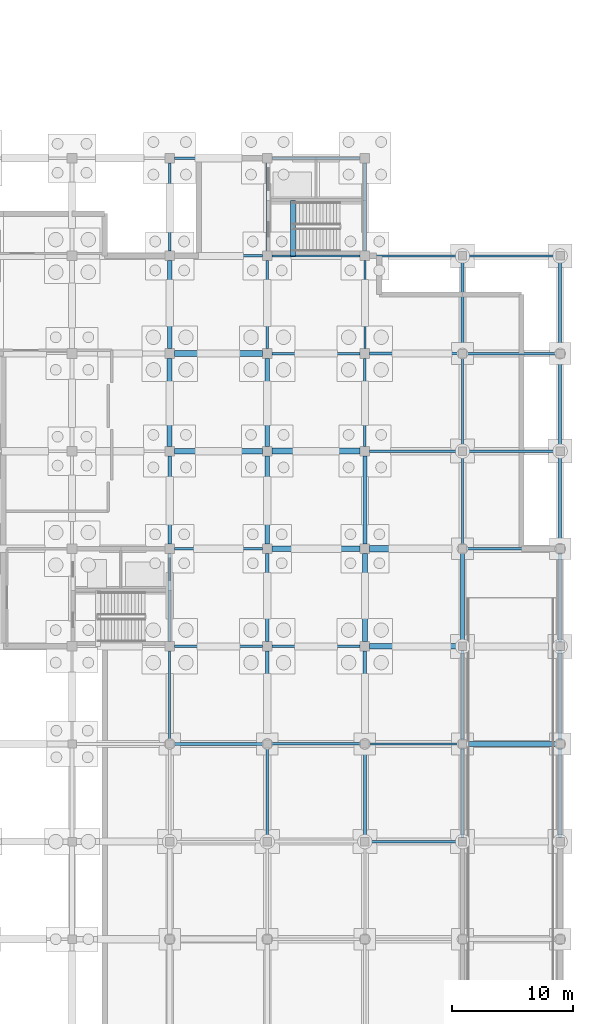
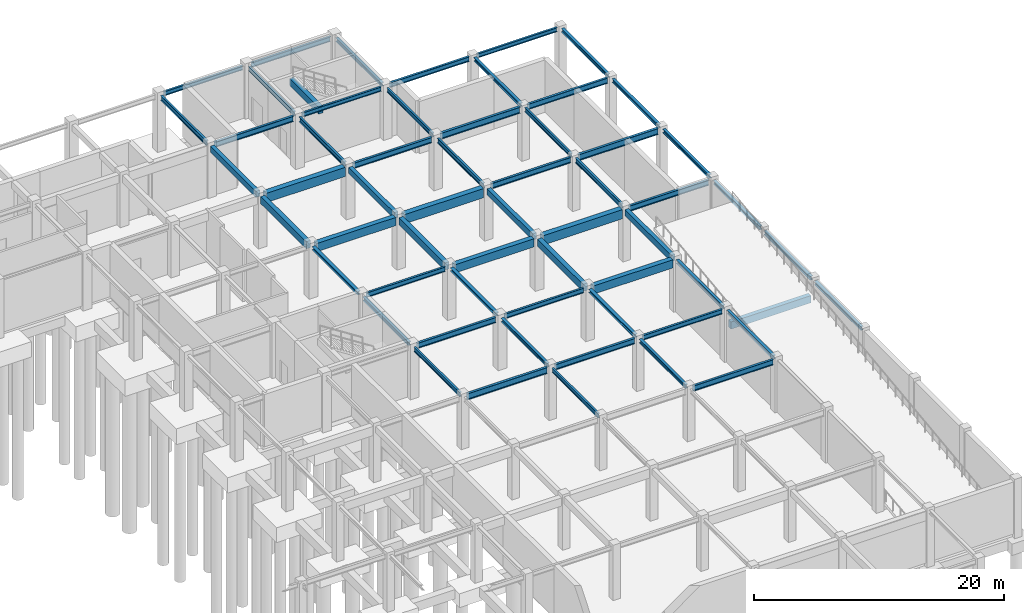
# One storey, part 15 of 26: 59 beams.
"""IFC4 building model written with IfcOpenShell, lengths in metres."""

from ifc_helpers import new_model, si_unit, direction, frame, origin, origin_2d, place, context, subcontext, project, spatial, rectangle, i_section, extrude, material, material_profile, profile_set, type_object, element, save


model = new_model("IFC4")

# Units and contexts
model_context = context("Model", 3, precision=1e-05, world=origin(), true_north=direction((0.0, 1.0)))
body_context = subcontext(model_context, "Body", "Model", "MODEL_VIEW")
ifc_project = project(units=[si_unit("LENGTHUNIT", "METRE"), si_unit("AREAUNIT", "SQUARE_METRE"), si_unit("VOLUMEUNIT", "CUBIC_METRE"), si_unit("PLANEANGLEUNIT", "RADIAN"), si_unit("MASSUNIT", "GRAM", prefix="KILO")], contexts=[model_context])

# Site, building, storey
site_placement = place(None, origin())
site = spatial("IfcSite", under=ifc_project, at=site_placement, CompositionType="ELEMENT")
building_placement = place(site_placement, origin())
building = spatial("IfcBuilding", under=site, at=building_placement, Name="Parian Resonance Hall", CompositionType="ELEMENT")
storey_placement = place(building_placement, frame((0.0, 0.0, -5.39990234375)))
storey = spatial("IfcBuildingStorey", under=building, at=storey_placement, Name="B1", CompositionType="ELEMENT", Elevation=-5.39990234375)

# Beams
ifc_material_1 = material(Name="Concrete C40/50", Category="concrete")
ifc_material_profile_1 = material_profile(ifc_material_1, rectangle(XDim=0.35009765625, YDim=0.60009765625, at=origin_2d()), Name="RC-BM-350x600")
ifc_profile_set_1 = profile_set([ifc_material_profile_1], Name="Concrete C40/50")
beam_type_1 = type_object("IfcBeamType", Name="BM-RC350x600", PredefinedType="BEAM", material=ifc_profile_set_1)
for number, where, z_axis, x_axis, name in (
    (1, (129.60009765625, 73.300048828125, 4.760009765625), (0.0, 1.0, 0.0), (-1.0, 0.0, 0.0), "GY-B1-0223"),
    (2, (137.699951171875, 65.199951171875, 4.760009765625), (0.0, 1.0, 0.0), (-1.0, 0.0, 0.0), "GY-B1-0233"),
):
    element("IfcBeam", number, at=place(storey_placement, frame(where, z_axis=z_axis, x_axis=x_axis)), inside=storey, type_object=beam_type_1, Name=name, PredefinedType="BEAM", context=body_context, shape_type="SweptSolid", body=[
        extrude(rectangle(XDim=0.35009765625, YDim=0.60009765625, at=origin_2d()), origin(), (0.0, 0.0, 1.0), 7.300048828125),
    ])
beam_1_placement = place(storey_placement, frame((145.800048828125, 57.10009765625, 4.760009765625), z_axis=(0.0, 1.0, 0.0), x_axis=(-1.0, 0.0, 0.0)))
element("IfcBeam", 3, at=beam_1_placement, inside=storey, type_object=beam_type_1, Name="GY-B1-0243", PredefinedType="BEAM", context=body_context, shape_type="SweptSolid", body=[
    extrude(rectangle(XDim=0.35009765625, YDim=0.60009765625, at=origin_2d()), origin(), (0.0, 0.0, 1.0), 7.2998046875),
])
beam_2_placement = place(storey_placement, frame((153.89990234375, 48.949951171875, 4.760009765625), z_axis=(0.0, 1.0, 0.0), x_axis=(-1.0, 0.0, 0.0)))
element("IfcBeam", 4, at=beam_2_placement, inside=storey, type_object=beam_type_1, Name="GY-B1-0253", PredefinedType="BEAM", context=body_context, shape_type="SweptSolid", body=[
    extrude(rectangle(XDim=0.35009765625, YDim=0.60009765625, at=origin_2d()), origin(), (0.0, 0.0, 1.0), 7.400146484375),
])
ifc_material_2 = material(Name="Concrete C40/50", Category="concrete")
ifc_material_profile_2 = material_profile(ifc_material_2, rectangle(XDim=0.39990234375, YDim=0.699951171875, at=origin_2d()), Name="RC-BM-400x700")
ifc_profile_set_2 = profile_set([ifc_material_profile_2], Name="Concrete C40/50")
beam_type_2 = type_object("IfcBeamType", Name="BM-RC400x700", PredefinedType="BEAM", material=ifc_profile_set_2)
beam_3_placement = place(storey_placement, frame((129.60009765625, 65.199951171875, 4.7099609375), z_axis=(0.0, 1.0, 0.0), x_axis=(-1.0, 0.0, 0.0)))
element("IfcBeam", 5, at=beam_3_placement, inside=storey, type_object=beam_type_2, Name="GY-B1-0222", PredefinedType="BEAM", context=body_context, shape_type="SweptSolid", body=[
    extrude(rectangle(XDim=0.39990234375, YDim=0.699951171875, at=origin_2d()), origin(), (0.0, 0.0, 1.0), 7.300048828125),
])
beam_4_placement = place(storey_placement, frame((137.699951171875, 57.10009765625, 4.7099609375), z_axis=(0.0, 1.0, 0.0), x_axis=(-1.0, 0.0, 0.0)))
element("IfcBeam", 6, at=beam_4_placement, inside=storey, type_object=beam_type_2, Name="GY-B1-0232", PredefinedType="BEAM", context=body_context, shape_type="SweptSolid", body=[
    extrude(rectangle(XDim=0.39990234375, YDim=0.699951171875, at=origin_2d()), origin(), (0.0, 0.0, 1.0), 7.2998046875),
])
beam_5_placement = place(storey_placement, frame((145.800048828125, 49.0, 4.7099609375), z_axis=(0.0, 1.0, 0.0), x_axis=(-1.0, 0.0, 0.0)))
element("IfcBeam", 7, at=beam_5_placement, inside=storey, type_object=beam_type_2, Name="GY-B1-0242", PredefinedType="BEAM", context=body_context, shape_type="SweptSolid", body=[
    extrude(rectangle(XDim=0.39990234375, YDim=0.699951171875, at=origin_2d()), origin(), (0.0, 0.0, 1.0), 7.300048828125),
])
beam_6_placement = place(storey_placement, frame((139.840087890625, 81.0, 4.7099609375), z_axis=(0.0, 1.0, 0.0), x_axis=(-1.0, 0.0, 0.0)))
element("IfcBeam", 8, at=beam_6_placement, inside=storey, type_object=beam_type_2, Name="Core K6 stair arrival trimmer beam B1", PredefinedType="BEAM", context=body_context, shape_type="SweptSolid", body=[
    extrude(rectangle(XDim=0.39990234375, YDim=0.699951171875, at=origin_2d()), origin(), (0.0, 0.0, 1.0), 4.610107421875),
])
beam_7_placement = place(storey_placement, frame((154.260009765625, 40.5, 3.27001953125), z_axis=(1.0, 0.0, 0.0), x_axis=(0.0, 1.0, 0.0)))
element("IfcBeam", 9, at=beam_7_placement, inside=storey, type_object=beam_type_2, Name="Car park vehicle ramp support beam 3", PredefinedType="BEAM", context=body_context, shape_type="SweptSolid", body=[
    extrude(rectangle(XDim=0.39990234375, YDim=0.699951171875, at=origin_2d()), origin(), (0.0, 0.0, 1.0), 7.3798828125),
])
ifc_material_3 = material(Name="Concrete C40/50", Category="concrete")
ifc_material_profile_3 = material_profile(ifc_material_3, rectangle(XDim=0.449951171875, YDim=0.800048828125, at=origin_2d()), Name="RC-BM-450x800")
ifc_profile_set_3 = profile_set([ifc_material_profile_3], Name="Concrete C40/50")
beam_type_3 = type_object("IfcBeamType", Name="BM-RC450x800", PredefinedType="USERDEFINED", material=ifc_profile_set_3)
beam_8_placement = place(storey_placement, frame((130.0, 64.800048828125, 4.659912109375), z_axis=(1.0, 0.0, 0.0), x_axis=(0.0, 1.0, 0.0)))
element("IfcBeam", 10, at=beam_8_placement, inside=storey, type_object=beam_type_3, Name="GX-B1-0101", ObjectType="GIRDER", PredefinedType="USERDEFINED", context=body_context, shape_type="SweptSolid", body=[
    extrude(rectangle(XDim=0.449951171875, YDim=0.800048828125, at=origin_2d()), origin(), (0.0, 0.0, 1.0), 7.300048828125),
])
beam_9_placement = place(storey_placement, frame((138.10009765625, 56.699951171875, 4.659912109375), z_axis=(1.0, 0.0, 0.0), x_axis=(0.0, 1.0, 0.0)))
element("IfcBeam", 11, at=beam_9_placement, inside=storey, type_object=beam_type_3, Name="GX-B1-0112", ObjectType="GIRDER", PredefinedType="USERDEFINED", context=body_context, shape_type="SweptSolid", body=[
    extrude(rectangle(XDim=0.449951171875, YDim=0.800048828125, at=origin_2d()), origin(), (0.0, 0.0, 1.0), 7.2998046875),
])
beam_10_placement = place(storey_placement, frame((146.199951171875, 48.60009765625, 4.659912109375), z_axis=(1.0, 0.0, 0.0), x_axis=(0.0, 1.0, 0.0)))
element("IfcBeam", 12, at=beam_10_placement, inside=storey, type_object=beam_type_3, Name="GX-B1-0123", ObjectType="GIRDER", PredefinedType="USERDEFINED", context=body_context, shape_type="SweptSolid", body=[
    extrude(rectangle(XDim=0.449951171875, YDim=0.800048828125, at=origin_2d()), origin(), (0.0, 0.0, 1.0), 7.35009765625),
])
ifc_material_4 = material(Name="Concrete C40/50", Category="concrete")
ifc_material_profile_4 = material_profile(ifc_material_4, rectangle(XDim=0.5, YDim=0.89990234375, at=origin_2d()), Name="RC-BM-500x900")
ifc_profile_set_4 = profile_set([ifc_material_profile_4], Name="Concrete C40/50")
beam_type_4 = type_object("IfcBeamType", Name="BM-RC500x900", PredefinedType="USERDEFINED", material=ifc_profile_set_4)
beam_11_placement = place(storey_placement, frame((130.0, 72.89990234375, 4.60986328125), z_axis=(1.0, 0.0, 0.0), x_axis=(0.0, 1.0, 0.0)))
element("IfcBeam", 13, at=beam_11_placement, inside=storey, type_object=beam_type_4, Name="GX-B1-0102", ObjectType="GIRDER", PredefinedType="USERDEFINED", context=body_context, shape_type="SweptSolid", body=[
    extrude(rectangle(XDim=0.5, YDim=0.89990234375, at=origin_2d()), origin(), (0.0, 0.0, 1.0), 7.300048828125),
])
beam_12_placement = place(storey_placement, frame((138.10009765625, 64.800048828125, 4.60986328125), z_axis=(1.0, 0.0, 0.0), x_axis=(0.0, 1.0, 0.0)))
element("IfcBeam", 14, at=beam_12_placement, inside=storey, type_object=beam_type_4, Name="GX-B1-0113", ObjectType="GIRDER", PredefinedType="USERDEFINED", context=body_context, shape_type="SweptSolid", body=[
    extrude(rectangle(XDim=0.5, YDim=0.89990234375, at=origin_2d()), origin(), (0.0, 0.0, 1.0), 7.2998046875),
])
beam_13_placement = place(storey_placement, frame((146.199951171875, 56.699951171875, 4.60986328125), z_axis=(1.0, 0.0, 0.0), x_axis=(0.0, 1.0, 0.0)))
element("IfcBeam", 15, at=beam_13_placement, inside=storey, type_object=beam_type_4, Name="GX-B1-0124", ObjectType="GIRDER", PredefinedType="USERDEFINED", context=body_context, shape_type="SweptSolid", body=[
    extrude(rectangle(XDim=0.5, YDim=0.89990234375, at=origin_2d()), origin(), (0.0, 0.0, 1.0), 7.35009765625),
])
ifc_material_5 = material(Name="Steel S355", Category="steel")
ifc_material_profile_5 = material_profile(ifc_material_5, i_section(OverallWidth=0.304931640625, OverallDepth=0.30810546875, WebThickness=0.010009765625, FlangeThickness=0.015380859375, FilletRadius=0.01513671875, at=origin_2d()), Name="W310x97")
ifc_profile_set_5 = profile_set([ifc_material_profile_5], Name="Steel S355")
beam_type_5 = type_object("IfcBeamType", Name="BM-W310x97", PredefinedType="BEAM", material=ifc_profile_set_5)
beam_14_placement = place(storey_placement, frame((129.60009765625, 57.10009765625, 4.906005859375), z_axis=(0.0, 1.0, 0.0), x_axis=(-1.0, 0.0, 0.0)))
element("IfcBeam", 16, at=beam_14_placement, inside=storey, type_object=beam_type_5, Name="GY-B1-0221", PredefinedType="BEAM", context=body_context, shape_type="SweptSolid", body=[
    extrude(i_section(OverallWidth=0.304931640625, OverallDepth=0.30810546875, WebThickness=0.010009765625, FlangeThickness=0.015380859375, FilletRadius=0.01513671875, at=origin_2d()), origin(), (0.0, 0.0, 1.0), 7.2998046875),
])
beam_15_placement = place(storey_placement, frame((137.699951171875, 49.0, 4.906005859375), z_axis=(0.0, 1.0, 0.0), x_axis=(-1.0, 0.0, 0.0)))
element("IfcBeam", 17, at=beam_15_placement, inside=storey, type_object=beam_type_5, Name="GY-B1-0231", PredefinedType="BEAM", context=body_context, shape_type="SweptSolid", body=[
    extrude(i_section(OverallWidth=0.304931640625, OverallDepth=0.30810546875, WebThickness=0.010009765625, FlangeThickness=0.015380859375, FilletRadius=0.01513671875, at=origin_2d()), origin(), (0.0, 0.0, 1.0), 7.300048828125),
])
beam_16_placement = place(storey_placement, frame((145.800048828125, 40.85009765625, 4.906005859375), z_axis=(0.0, 1.0, 0.0), x_axis=(-1.0, 0.0, 0.0)))
element("IfcBeam", 18, at=beam_16_placement, inside=storey, type_object=beam_type_5, Name="GY-B1-0241", PredefinedType="BEAM", context=body_context, shape_type="SweptSolid", body=[
    extrude(i_section(OverallWidth=0.304931640625, OverallDepth=0.30810546875, WebThickness=0.010009765625, FlangeThickness=0.015380859375, FilletRadius=0.01513671875, at=origin_2d()), origin(), (0.0, 0.0, 1.0), 7.349853515625),
])
ifc_material_6 = material(Name="Steel S355", Category="steel")
ifc_material_profile_6 = material_profile(ifc_material_6, i_section(OverallWidth=0.2548828125, OverallDepth=0.35693359375, WebThickness=0.010498046875, FlangeThickness=0.018310546875, FilletRadius=0.01513671875, at=origin_2d()), Name="W360x101")
ifc_profile_set_6 = profile_set([ifc_material_profile_6], Name="Steel S355")
beam_type_6 = type_object("IfcBeamType", Name="BM-W360x101", PredefinedType="SPANDREL", material=ifc_profile_set_6)
beam_17_placement = place(storey_placement, frame((129.60009765625, 49.0, 4.88134765625), z_axis=(0.0, 1.0, 0.0), x_axis=(-1.0, 0.0, 0.0)))
element("IfcBeam", 19, at=beam_17_placement, inside=storey, type_object=beam_type_6, Name="GY-B1-0220", PredefinedType="SPANDREL", context=body_context, shape_type="SweptSolid", body=[
    extrude(i_section(OverallWidth=0.2548828125, OverallDepth=0.35693359375, WebThickness=0.010498046875, FlangeThickness=0.018310546875, FilletRadius=0.01513671875, at=origin_2d()), origin(), (0.0, 0.0, 1.0), 7.300048828125),
])
beam_18_placement = place(storey_placement, frame((137.699951171875, 40.85009765625, 4.88134765625), z_axis=(0.0, 1.0, 0.0), x_axis=(-1.0, 0.0, 0.0)))
element("IfcBeam", 20, at=beam_18_placement, inside=storey, type_object=beam_type_6, Name="GY-B1-0230", PredefinedType="SPANDREL", context=body_context, shape_type="SweptSolid", body=[
    extrude(i_section(OverallWidth=0.2548828125, OverallDepth=0.35693359375, WebThickness=0.010498046875, FlangeThickness=0.018310546875, FilletRadius=0.01513671875, at=origin_2d()), origin(), (0.0, 0.0, 1.0), 7.349853515625),
])
beam_19_placement = place(storey_placement, frame((145.800048828125, 32.75, 4.88134765625), z_axis=(0.0, 1.0, 0.0), x_axis=(-1.0, 0.0, 0.0)))
element("IfcBeam", 21, at=beam_19_placement, inside=storey, type_object=beam_type_6, Name="GY-B1-0240", PredefinedType="SPANDREL", context=body_context, shape_type="SweptSolid", body=[
    extrude(i_section(OverallWidth=0.2548828125, OverallDepth=0.35693359375, WebThickness=0.010498046875, FlangeThickness=0.018310546875, FilletRadius=0.01513671875, at=origin_2d()), origin(), (0.0, 0.0, 1.0), 7.39990234375),
])
beam_20_placement = place(storey_placement, frame((145.800048828125, 81.39990234375, 4.88134765625), z_axis=(0.0, 1.0, 0.0), x_axis=(-1.0, 0.0, 0.0)))
element("IfcBeam", 22, at=beam_20_placement, inside=storey, type_object=beam_type_6, Name="GY-B1-0246", PredefinedType="SPANDREL", context=body_context, shape_type="SweptSolid", body=[
    extrude(i_section(OverallWidth=0.2548828125, OverallDepth=0.35693359375, WebThickness=0.010498046875, FlangeThickness=0.018310546875, FilletRadius=0.01513671875, at=origin_2d()), origin(), (0.0, 0.0, 1.0), 7.300048828125),
])
for number, where, z_axis, x_axis, name in (
    (23, (153.89990234375, 32.75, 4.88134765625), (0.0, 1.0, 0.0), (-1.0, 0.0, 0.0), "GY-B1-0251"),
    (24, (153.89990234375, 40.85009765625, 4.88134765625), (0.0, 1.0, 0.0), (-1.0, 0.0, 0.0), "GY-B1-0252"),
    (25, (153.89990234375, 73.25, 4.991455078125), (0.0, 1.0, 0.0), (-1.0, 0.0, 0.0), "GY-B1-0256"),
    (26, (162.0, 32.75, 4.88134765625), (0.0, 1.0, 0.0), (-1.0, 0.0, 0.0), "GY-B1-0260"),
    (27, (162.0, 40.85009765625, 4.88134765625), (0.0, 1.0, 0.0), (-1.0, 0.0, 0.0), "GY-B1-0261"),
):
    element("IfcBeam", number, at=place(storey_placement, frame(where, z_axis=z_axis, x_axis=x_axis)), inside=storey, type_object=beam_type_6, Name=name, PredefinedType="SPANDREL", context=body_context, shape_type="SweptSolid", body=[
        extrude(i_section(OverallWidth=0.2548828125, OverallDepth=0.35693359375, WebThickness=0.010498046875, FlangeThickness=0.018310546875, FilletRadius=0.01513671875, at=origin_2d()), origin(), (0.0, 0.0, 1.0), 7.39990234375),
    ])
beam_21_placement = place(storey_placement, frame((162.0, 48.949951171875, 4.88134765625), z_axis=(0.0, 1.0, 0.0), x_axis=(-1.0, 0.0, 0.0)))
element("IfcBeam", 28, at=beam_21_placement, inside=storey, type_object=beam_type_6, Name="GY-B1-0262", PredefinedType="SPANDREL", context=body_context, shape_type="SweptSolid", body=[
    extrude(i_section(OverallWidth=0.2548828125, OverallDepth=0.35693359375, WebThickness=0.010498046875, FlangeThickness=0.018310546875, FilletRadius=0.01513671875, at=origin_2d()), origin(), (0.0, 0.0, 1.0), 7.400146484375),
])
beam_22_placement = place(storey_placement, frame((162.0, 57.050048828125, 4.991455078125), z_axis=(0.0, 1.0, 0.0), x_axis=(-1.0, 0.0, 0.0)))
element("IfcBeam", 29, at=beam_22_placement, inside=storey, type_object=beam_type_6, Name="GY-B1-0263", PredefinedType="SPANDREL", context=body_context, shape_type="SweptSolid", body=[
    extrude(i_section(OverallWidth=0.2548828125, OverallDepth=0.35693359375, WebThickness=0.010498046875, FlangeThickness=0.018310546875, FilletRadius=0.01513671875, at=origin_2d()), origin(), (0.0, 0.0, 1.0), 7.39990234375),
])
beam_23_placement = place(storey_placement, frame((162.0, 65.14990234375, 4.991455078125), z_axis=(0.0, 1.0, 0.0), x_axis=(-1.0, 0.0, 0.0)))
element("IfcBeam", 30, at=beam_23_placement, inside=storey, type_object=beam_type_6, Name="GY-B1-0264", PredefinedType="SPANDREL", context=body_context, shape_type="SweptSolid", body=[
    extrude(i_section(OverallWidth=0.2548828125, OverallDepth=0.35693359375, WebThickness=0.010498046875, FlangeThickness=0.018310546875, FilletRadius=0.01513671875, at=origin_2d()), origin(), (0.0, 0.0, 1.0), 7.400146484375),
])
beam_24_placement = place(storey_placement, frame((162.0, 73.25, 4.991455078125), z_axis=(0.0, 1.0, 0.0), x_axis=(-1.0, 0.0, 0.0)))
element("IfcBeam", 31, at=beam_24_placement, inside=storey, type_object=beam_type_6, Name="GY-B1-0265", PredefinedType="SPANDREL", context=body_context, shape_type="SweptSolid", body=[
    extrude(i_section(OverallWidth=0.2548828125, OverallDepth=0.35693359375, WebThickness=0.010498046875, FlangeThickness=0.018310546875, FilletRadius=0.01513671875, at=origin_2d()), origin(), (0.0, 0.0, 1.0), 7.39990234375),
])
ifc_material_7 = material(Name="Steel S355", Category="steel")
ifc_material_profile_7 = material_profile(ifc_material_7, i_section(OverallWidth=0.180908203125, OverallDepth=0.4169921875, WebThickness=0.010986328125, FlangeThickness=0.018310546875, FilletRadius=0.01513671875, at=origin_2d()), Name="W410x85")
ifc_profile_set_7 = profile_set([ifc_material_profile_7], Name="Steel S355")
beam_type_7 = type_object("IfcBeamType", Name="BM-W410x85", PredefinedType="SPANDREL", material=ifc_profile_set_7)
beam_25_placement = place(storey_placement, frame((130.0, 89.10009765625, 4.851318359375), z_axis=(1.0, 0.0, 0.0), x_axis=(0.0, 1.0, 0.0)))
element("IfcBeam", 32, at=beam_25_placement, inside=storey, type_object=beam_type_7, Name="GX-B1-0104", PredefinedType="SPANDREL", context=body_context, shape_type="SweptSolid", body=[
    extrude(i_section(OverallWidth=0.180908203125, OverallDepth=0.4169921875, WebThickness=0.010986328125, FlangeThickness=0.018310546875, FilletRadius=0.01513671875, at=origin_2d()), origin(), (0.0, 0.0, 1.0), 7.300048828125),
])
beam_26_placement = place(storey_placement, frame((138.10009765625, 81.0, 4.851318359375), z_axis=(1.0, 0.0, 0.0), x_axis=(0.0, 1.0, 0.0)))
element("IfcBeam", 33, at=beam_26_placement, inside=storey, type_object=beam_type_7, Name="GX-B1-0115", PredefinedType="SPANDREL", context=body_context, shape_type="SweptSolid", body=[
    extrude(i_section(OverallWidth=0.180908203125, OverallDepth=0.4169921875, WebThickness=0.010986328125, FlangeThickness=0.018310546875, FilletRadius=0.01513671875, at=origin_2d()), origin(), (0.0, 0.0, 1.0), 7.2998046875),
])
beam_27_placement = place(storey_placement, frame((154.25, 81.0, 4.96142578125), z_axis=(1.0, 0.0, 0.0), x_axis=(0.0, 1.0, 0.0)))
element("IfcBeam", 34, at=beam_27_placement, inside=storey, type_object=beam_type_7, Name="GX-B1-0132", PredefinedType="SPANDREL", context=body_context, shape_type="SweptSolid", body=[
    extrude(i_section(OverallWidth=0.180908203125, OverallDepth=0.4169921875, WebThickness=0.010986328125, FlangeThickness=0.018310546875, FilletRadius=0.01513671875, at=origin_2d()), origin(), (0.0, 0.0, 1.0), 7.39990234375),
])
beam_28_placement = place(storey_placement, frame((129.60009765625, 40.85009765625, 4.851318359375), z_axis=(0.0, 1.0, 0.0), x_axis=(-1.0, 0.0, 0.0)))
element("IfcBeam", 35, at=beam_28_placement, inside=storey, type_object=beam_type_7, Name="GY-B1-0219", PredefinedType="SPANDREL", context=body_context, shape_type="SweptSolid", body=[
    extrude(i_section(OverallWidth=0.180908203125, OverallDepth=0.4169921875, WebThickness=0.010986328125, FlangeThickness=0.018310546875, FilletRadius=0.01513671875, at=origin_2d()), origin(), (0.0, 0.0, 1.0), 7.349853515625),
])
beam_29_placement = place(storey_placement, frame((137.699951171875, 32.75, 4.851318359375), z_axis=(0.0, 1.0, 0.0), x_axis=(-1.0, 0.0, 0.0)))
element("IfcBeam", 36, at=beam_29_placement, inside=storey, type_object=beam_type_7, Name="GY-B1-0229", PredefinedType="SPANDREL", context=body_context, shape_type="SweptSolid", body=[
    extrude(i_section(OverallWidth=0.180908203125, OverallDepth=0.4169921875, WebThickness=0.010986328125, FlangeThickness=0.018310546875, FilletRadius=0.01513671875, at=origin_2d()), origin(), (0.0, 0.0, 1.0), 7.39990234375),
])
for number, where, z_axis, x_axis, name in (
    (37, (137.699951171875, 81.39990234375, 4.851318359375), (0.0, 1.0, 0.0), (-1.0, 0.0, 0.0), "GY-B1-0235"),
    (38, (145.800048828125, 73.300048828125, 4.851318359375), (0.0, 1.0, 0.0), (-1.0, 0.0, 0.0), "GY-B1-0245"),
):
    element("IfcBeam", number, at=place(storey_placement, frame(where, z_axis=z_axis, x_axis=x_axis)), inside=storey, type_object=beam_type_7, Name=name, PredefinedType="SPANDREL", context=body_context, shape_type="SweptSolid", body=[
        extrude(i_section(OverallWidth=0.180908203125, OverallDepth=0.4169921875, WebThickness=0.010986328125, FlangeThickness=0.018310546875, FilletRadius=0.01513671875, at=origin_2d()), origin(), (0.0, 0.0, 1.0), 7.300048828125),
    ])
beam_30_placement = place(storey_placement, frame((153.89990234375, 65.14990234375, 4.96142578125), z_axis=(0.0, 1.0, 0.0), x_axis=(-1.0, 0.0, 0.0)))
element("IfcBeam", 39, at=beam_30_placement, inside=storey, type_object=beam_type_7, Name="GY-B1-0255", PredefinedType="SPANDREL", context=body_context, shape_type="SweptSolid", body=[
    extrude(i_section(OverallWidth=0.180908203125, OverallDepth=0.4169921875, WebThickness=0.010986328125, FlangeThickness=0.018310546875, FilletRadius=0.01513671875, at=origin_2d()), origin(), (0.0, 0.0, 1.0), 7.400146484375),
])
ifc_material_8 = material(Name="Steel S355", Category="steel")
ifc_material_profile_8 = material_profile(ifc_material_8, i_section(OverallWidth=0.194091796875, OverallDepth=0.468994140625, WebThickness=0.0126953125, FlangeThickness=0.0205078125, FilletRadius=0.01513671875, at=origin_2d()), Name="W460x106")
ifc_profile_set_8 = profile_set([ifc_material_profile_8], Name="Steel S355")
beam_type_8 = type_object("IfcBeamType", Name="BM-W460x106", PredefinedType="SPANDREL", material=ifc_profile_set_8)
beam_31_placement = place(storey_placement, frame((138.10009765625, 89.10009765625, 4.825439453125), z_axis=(1.0, 0.0, 0.0), x_axis=(0.0, 1.0, 0.0)))
element("IfcBeam", 40, at=beam_31_placement, inside=storey, type_object=beam_type_8, Name="GX-B1-0116", PredefinedType="SPANDREL", context=body_context, shape_type="SweptSolid", body=[
    extrude(i_section(OverallWidth=0.194091796875, OverallDepth=0.468994140625, WebThickness=0.0126953125, FlangeThickness=0.0205078125, FilletRadius=0.01513671875, at=origin_2d()), origin(), (0.0, 0.0, 1.0), 7.2998046875),
])
beam_32_placement = place(storey_placement, frame((146.199951171875, 81.0, 4.935302734375), z_axis=(1.0, 0.0, 0.0), x_axis=(0.0, 1.0, 0.0)))
element("IfcBeam", 41, at=beam_32_placement, inside=storey, type_object=beam_type_8, Name="GX-B1-0127", PredefinedType="SPANDREL", context=body_context, shape_type="SweptSolid", body=[
    extrude(i_section(OverallWidth=0.194091796875, OverallDepth=0.468994140625, WebThickness=0.0126953125, FlangeThickness=0.0205078125, FilletRadius=0.01513671875, at=origin_2d()), origin(), (0.0, 0.0, 1.0), 7.35009765625),
])
for number, where, z_axis, x_axis, name in (
    (42, (129.60009765625, 81.39990234375, 4.825439453125), (0.0, 1.0, 0.0), (-1.0, 0.0, 0.0), "GY-B1-0224"),
    (43, (137.699951171875, 73.300048828125, 4.825439453125), (0.0, 1.0, 0.0), (-1.0, 0.0, 0.0), "GY-B1-0234"),
    (44, (145.800048828125, 65.199951171875, 4.825439453125), (0.0, 1.0, 0.0), (-1.0, 0.0, 0.0), "GY-B1-0244"),
):
    element("IfcBeam", number, at=place(storey_placement, frame(where, z_axis=z_axis, x_axis=x_axis)), inside=storey, type_object=beam_type_8, Name=name, PredefinedType="SPANDREL", context=body_context, shape_type="SweptSolid", body=[
        extrude(i_section(OverallWidth=0.194091796875, OverallDepth=0.468994140625, WebThickness=0.0126953125, FlangeThickness=0.0205078125, FilletRadius=0.01513671875, at=origin_2d()), origin(), (0.0, 0.0, 1.0), 7.300048828125),
    ])
beam_33_placement = place(storey_placement, frame((153.89990234375, 57.050048828125, 4.935302734375), z_axis=(0.0, 1.0, 0.0), x_axis=(-1.0, 0.0, 0.0)))
element("IfcBeam", 45, at=beam_33_placement, inside=storey, type_object=beam_type_8, Name="GY-B1-0254", PredefinedType="SPANDREL", context=body_context, shape_type="SweptSolid", body=[
    extrude(i_section(OverallWidth=0.194091796875, OverallDepth=0.468994140625, WebThickness=0.0126953125, FlangeThickness=0.0205078125, FilletRadius=0.01513671875, at=origin_2d()), origin(), (0.0, 0.0, 1.0), 7.39990234375),
])
ifc_material_9 = material(Name="Steel S355", Category="steel")
ifc_material_profile_9 = material_profile(ifc_material_9, i_section(OverallWidth=0.19091796875, OverallDepth=0.4599609375, WebThickness=0.010009765625, FlangeThickness=0.01611328125, FilletRadius=0.01513671875, at=origin_2d()), Name="W460x82")
ifc_profile_set_9 = profile_set([ifc_material_profile_9], Name="Steel S355")
beam_type_9 = type_object("IfcBeamType", Name="BM-W460x82", PredefinedType="BEAM", material=ifc_profile_set_9)
beam_34_placement = place(storey_placement, frame((130.0, 56.699951171875, 4.829833984375), z_axis=(1.0, 0.0, 0.0), x_axis=(0.0, 1.0, 0.0)))
element("IfcBeam", 46, at=beam_34_placement, inside=storey, type_object=beam_type_9, Name="GX-B1-0100", PredefinedType="BEAM", context=body_context, shape_type="SweptSolid", body=[
    extrude(i_section(OverallWidth=0.19091796875, OverallDepth=0.4599609375, WebThickness=0.010009765625, FlangeThickness=0.01611328125, FilletRadius=0.01513671875, at=origin_2d()), origin(), (0.0, 0.0, 1.0), 7.300048828125),
])
beam_35_placement = place(storey_placement, frame((138.10009765625, 48.60009765625, 4.829833984375), z_axis=(1.0, 0.0, 0.0), x_axis=(0.0, 1.0, 0.0)))
element("IfcBeam", 47, at=beam_35_placement, inside=storey, type_object=beam_type_9, Name="GX-B1-0111", PredefinedType="BEAM", context=body_context, shape_type="SweptSolid", body=[
    extrude(i_section(OverallWidth=0.19091796875, OverallDepth=0.4599609375, WebThickness=0.010009765625, FlangeThickness=0.01611328125, FilletRadius=0.01513671875, at=origin_2d()), origin(), (0.0, 0.0, 1.0), 7.2998046875),
])
beam_36_placement = place(storey_placement, frame((146.14990234375, 40.5, 4.829833984375), z_axis=(1.0, 0.0, 0.0), x_axis=(0.0, 1.0, 0.0)))
element("IfcBeam", 48, at=beam_36_placement, inside=storey, type_object=beam_type_9, Name="GX-B1-0122", PredefinedType="BEAM", context=body_context, shape_type="SweptSolid", body=[
    extrude(i_section(OverallWidth=0.19091796875, OverallDepth=0.4599609375, WebThickness=0.010009765625, FlangeThickness=0.01611328125, FilletRadius=0.01513671875, at=origin_2d()), origin(), (0.0, 0.0, 1.0), 7.400146484375),
])
ifc_material_10 = material(Name="Steel S355", Category="steel")
ifc_material_profile_10 = material_profile(ifc_material_10, i_section(OverallWidth=0.2119140625, OverallDepth=0.5439453125, WebThickness=0.01318359375, FlangeThickness=0.021240234375, FilletRadius=0.017822265625, at=origin_2d()), Name="W530x123")
ifc_profile_set_10 = profile_set([ifc_material_profile_10], Name="Steel S355")
beam_type_10 = type_object("IfcBeamType", Name="BM-W530x123", PredefinedType="USERDEFINED", material=ifc_profile_set_10)
beam_37_placement = place(storey_placement, frame((130.0, 81.0, 4.787841796875), z_axis=(1.0, 0.0, 0.0), x_axis=(0.0, 1.0, 0.0)))
element("IfcBeam", 49, at=beam_37_placement, inside=storey, type_object=beam_type_10, Name="GX-B1-0103", ObjectType="GIRDER", PredefinedType="USERDEFINED", context=body_context, shape_type="SweptSolid", body=[
    extrude(i_section(OverallWidth=0.2119140625, OverallDepth=0.5439453125, WebThickness=0.01318359375, FlangeThickness=0.021240234375, FilletRadius=0.017822265625, at=origin_2d()), origin(), (0.0, 0.0, 1.0), 7.300048828125),
])
beam_38_placement = place(storey_placement, frame((138.10009765625, 72.89990234375, 4.787841796875), z_axis=(1.0, 0.0, 0.0), x_axis=(0.0, 1.0, 0.0)))
element("IfcBeam", 50, at=beam_38_placement, inside=storey, type_object=beam_type_10, Name="GX-B1-0114", ObjectType="GIRDER", PredefinedType="USERDEFINED", context=body_context, shape_type="SweptSolid", body=[
    extrude(i_section(OverallWidth=0.2119140625, OverallDepth=0.5439453125, WebThickness=0.01318359375, FlangeThickness=0.021240234375, FilletRadius=0.017822265625, at=origin_2d()), origin(), (0.0, 0.0, 1.0), 7.2998046875),
])
beam_39_placement = place(storey_placement, frame((146.199951171875, 64.800048828125, 4.89794921875), z_axis=(1.0, 0.0, 0.0), x_axis=(0.0, 1.0, 0.0)))
element("IfcBeam", 51, at=beam_39_placement, inside=storey, type_object=beam_type_10, Name="GX-B1-0125", ObjectType="GIRDER", PredefinedType="USERDEFINED", context=body_context, shape_type="SweptSolid", body=[
    extrude(i_section(OverallWidth=0.2119140625, OverallDepth=0.5439453125, WebThickness=0.01318359375, FlangeThickness=0.021240234375, FilletRadius=0.017822265625, at=origin_2d()), origin(), (0.0, 0.0, 1.0), 7.35009765625),
])
beam_40_placement = place(storey_placement, frame((154.25, 56.699951171875, 4.787841796875), z_axis=(1.0, 0.0, 0.0), x_axis=(0.0, 1.0, 0.0)))
element("IfcBeam", 52, at=beam_40_placement, inside=storey, type_object=beam_type_10, Name="GX-B1-0129", ObjectType="GIRDER", PredefinedType="USERDEFINED", context=body_context, shape_type="SweptSolid", body=[
    extrude(i_section(OverallWidth=0.2119140625, OverallDepth=0.5439453125, WebThickness=0.01318359375, FlangeThickness=0.021240234375, FilletRadius=0.017822265625, at=origin_2d()), origin(), (0.0, 0.0, 1.0), 7.39990234375),
])
ifc_material_11 = material(Name="Steel S355", Category="steel")
ifc_material_profile_11 = material_profile(ifc_material_11, i_section(OverallWidth=0.208984375, OverallDepth=0.532958984375, WebThickness=0.01025390625, FlangeThickness=0.015625, FilletRadius=0.017822265625, at=origin_2d()), Name="W530x92")
ifc_profile_set_11 = profile_set([ifc_material_profile_11], Name="Steel S355")
beam_type_11 = type_object("IfcBeamType", Name="BM-W530x92", PredefinedType="BEAM", material=ifc_profile_set_11)
beam_41_placement = place(storey_placement, frame((130.0, 48.60009765625, 4.79345703125), z_axis=(1.0, 0.0, 0.0), x_axis=(0.0, 1.0, 0.0)))
element("IfcBeam", 53, at=beam_41_placement, inside=storey, type_object=beam_type_11, Name="GX-B1-0099", PredefinedType="BEAM", context=body_context, shape_type="SweptSolid", body=[
    extrude(i_section(OverallWidth=0.208984375, OverallDepth=0.532958984375, WebThickness=0.01025390625, FlangeThickness=0.015625, FilletRadius=0.017822265625, at=origin_2d()), origin(), (0.0, 0.0, 1.0), 7.300048828125),
])
beam_42_placement = place(storey_placement, frame((138.050048828125, 40.5, 4.79345703125), z_axis=(1.0, 0.0, 0.0), x_axis=(0.0, 1.0, 0.0)))
element("IfcBeam", 54, at=beam_42_placement, inside=storey, type_object=beam_type_11, Name="GX-B1-0110", PredefinedType="BEAM", context=body_context, shape_type="SweptSolid", body=[
    extrude(i_section(OverallWidth=0.208984375, OverallDepth=0.532958984375, WebThickness=0.01025390625, FlangeThickness=0.015625, FilletRadius=0.017822265625, at=origin_2d()), origin(), (0.0, 0.0, 1.0), 7.39990234375),
])
beam_43_placement = place(storey_placement, frame((146.14990234375, 32.39990234375, 4.79345703125), z_axis=(1.0, 0.0, 0.0), x_axis=(0.0, 1.0, 0.0)))
element("IfcBeam", 55, at=beam_43_placement, inside=storey, type_object=beam_type_11, Name="GX-B1-0121", PredefinedType="BEAM", context=body_context, shape_type="SweptSolid", body=[
    extrude(i_section(OverallWidth=0.208984375, OverallDepth=0.532958984375, WebThickness=0.01025390625, FlangeThickness=0.015625, FilletRadius=0.017822265625, at=origin_2d()), origin(), (0.0, 0.0, 1.0), 7.400146484375),
])
beam_44_placement = place(storey_placement, frame((154.25, 72.89990234375, 4.9033203125), z_axis=(1.0, 0.0, 0.0), x_axis=(0.0, 1.0, 0.0)))
element("IfcBeam", 56, at=beam_44_placement, inside=storey, type_object=beam_type_11, Name="GX-B1-0131", PredefinedType="BEAM", context=body_context, shape_type="SweptSolid", body=[
    extrude(i_section(OverallWidth=0.208984375, OverallDepth=0.532958984375, WebThickness=0.01025390625, FlangeThickness=0.015625, FilletRadius=0.017822265625, at=origin_2d()), origin(), (0.0, 0.0, 1.0), 7.39990234375),
])
ifc_material_12 = material(Name="Steel S355", Category="steel")
ifc_material_profile_12 = material_profile(ifc_material_12, i_section(OverallWidth=0.22802734375, OverallDepth=0.60791015625, WebThickness=0.01123046875, FlangeThickness=0.017333984375, FilletRadius=0.017822265625, at=origin_2d()), Name="W610x113")
ifc_profile_set_12 = profile_set([ifc_material_profile_12], Name="Steel S355")
beam_type_12 = type_object("IfcBeamType", Name="BM-W610x113", PredefinedType="USERDEFINED", material=ifc_profile_set_12)
beam_45_placement = place(storey_placement, frame((129.949951171875, 40.5, 4.755859375), z_axis=(1.0, 0.0, 0.0), x_axis=(0.0, 1.0, 0.0)))
element("IfcBeam", 57, at=beam_45_placement, inside=storey, type_object=beam_type_12, Name="GX-B1-0098", ObjectType="GIRDER", PredefinedType="USERDEFINED", context=body_context, shape_type="SweptSolid", body=[
    extrude(i_section(OverallWidth=0.22802734375, OverallDepth=0.60791015625, WebThickness=0.01123046875, FlangeThickness=0.017333984375, FilletRadius=0.017822265625, at=origin_2d()), origin(), (0.0, 0.0, 1.0), 7.400146484375),
])
beam_46_placement = place(storey_placement, frame((146.199951171875, 72.89990234375, 4.865966796875), z_axis=(1.0, 0.0, 0.0), x_axis=(0.0, 1.0, 0.0)))
element("IfcBeam", 58, at=beam_46_placement, inside=storey, type_object=beam_type_12, Name="GX-B1-0126", ObjectType="GIRDER", PredefinedType="USERDEFINED", context=body_context, shape_type="SweptSolid", body=[
    extrude(i_section(OverallWidth=0.22802734375, OverallDepth=0.60791015625, WebThickness=0.01123046875, FlangeThickness=0.017333984375, FilletRadius=0.017822265625, at=origin_2d()), origin(), (0.0, 0.0, 1.0), 7.35009765625),
])
beam_47_placement = place(storey_placement, frame((154.25, 64.800048828125, 4.865966796875), z_axis=(1.0, 0.0, 0.0), x_axis=(0.0, 1.0, 0.0)))
element("IfcBeam", 59, at=beam_47_placement, inside=storey, type_object=beam_type_12, Name="GX-B1-0130", ObjectType="GIRDER", PredefinedType="USERDEFINED", context=body_context, shape_type="SweptSolid", body=[
    extrude(i_section(OverallWidth=0.22802734375, OverallDepth=0.60791015625, WebThickness=0.01123046875, FlangeThickness=0.017333984375, FilletRadius=0.017822265625, at=origin_2d()), origin(), (0.0, 0.0, 1.0), 7.39990234375),
])

save(model, "model.ifc")
